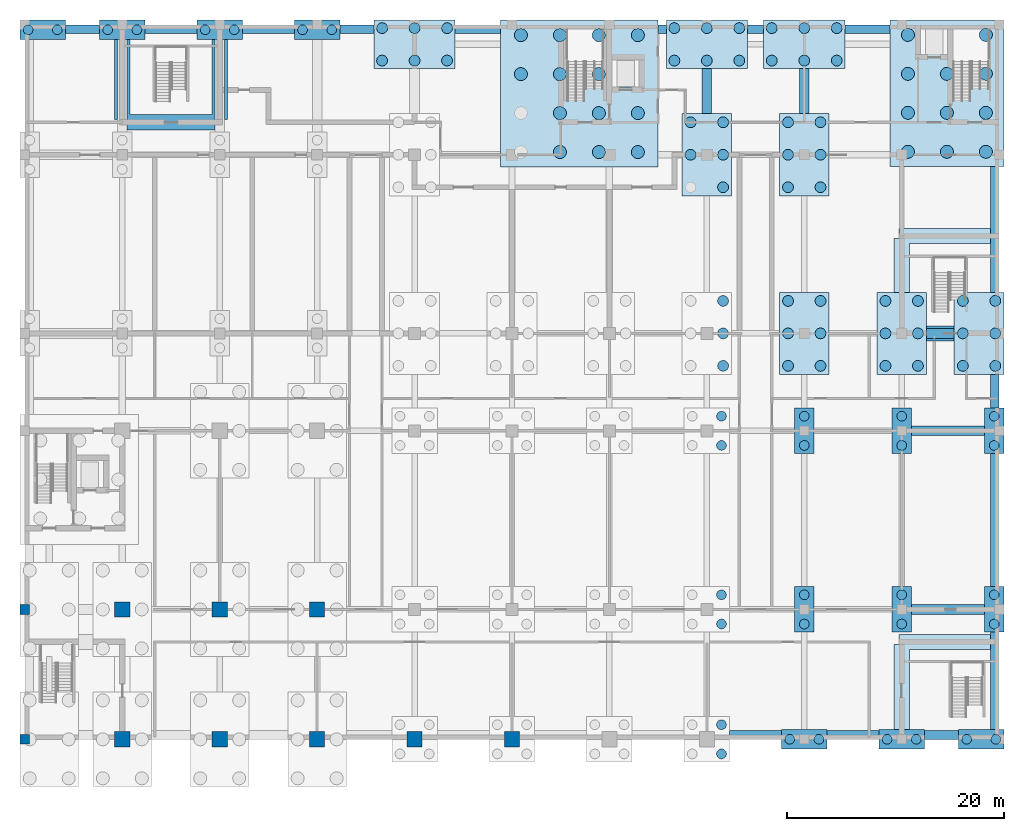
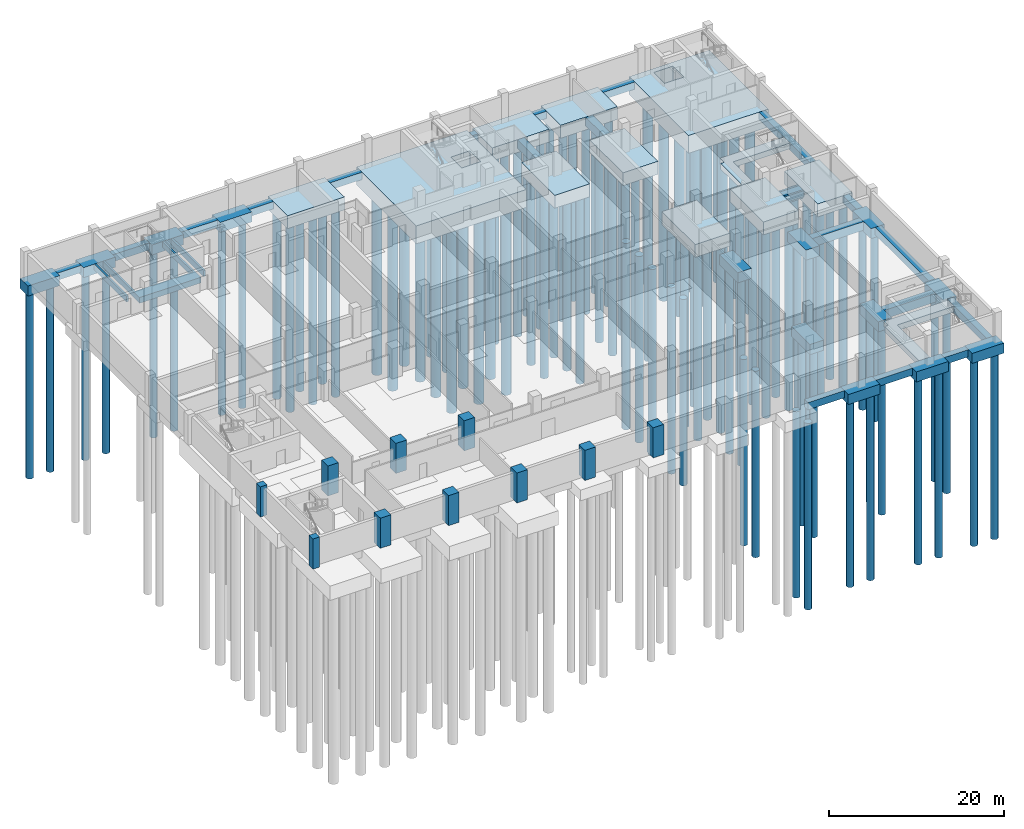
# One storey, part 2 of 15: 106 piles, 50 footings, 10 columns.
"""IFC4 building model written with IfcOpenShell, lengths in metres."""

import ifcopenshell
import ifcopenshell.guid

model = None  # the IFC model being written
_history = None  # IfcOwnerHistory: only IFC2X3 demands one
_inside = {}  # id of a spatial element -> (the spatial element, [elements in it])
_under = {}  # id of a project, library or spatial element -> (it, [spatial elements below it])
_declared = {}  # id of a project -> (the project, [libraries it declares])
_typed = {}  # id of a type object -> (the type object, [elements of that type])
_made_of = {}  # id of a material, layer set ... -> (it, [elements and type objects made of it])


def new_model(schema):
    """Start an empty IFC model of exactly this schema.

    Asked for "IFC4X3", IfcOpenShell would pick the latest addendum, in which some entities
    have other attributes; the version numbers below select the first issue.
    IFC2X3 requires an IfcOwnerHistory on every rooted entity: one is made here for all.
    """
    global model, _history
    if schema == "IFC4X3":
        model = ifcopenshell.file(schema_version=(4, 3, 0, 0))
    else:
        model = ifcopenshell.file(schema=schema)
    _inside.clear()
    _under.clear()
    _declared.clear()
    _typed.clear()
    _made_of.clear()
    _history = None
    if model.schema == "IFC2X3":
        org = make("IfcOrganization", Name="unknown")
        user = make(
            "IfcPersonAndOrganization",
            ThePerson=make("IfcPerson", FamilyName="unknown"),
            TheOrganization=org,
        )
        app = make(
            "IfcApplication",
            ApplicationDeveloper=org,
            Version="unknown",
            ApplicationFullName="unknown",
            ApplicationIdentifier="unknown",
        )
        _history = make(
            "IfcOwnerHistory",
            OwningUser=user,
            OwningApplication=app,
            ChangeAction="ADDED",
            CreationDate=0,
        )
    return model


def make(cls, **values):
    """One entity of the class cls with the attributes given. An attribute that is None is left unset."""
    return model.create_entity(
        cls, **{name: value for name, value in values.items() if value is not None}
    )


def rooted(cls, **values):
    """An entity with a GlobalId (a new one), such as an element, a storey or a relation."""
    return make(cls, GlobalId=ifcopenshell.guid.new(), OwnerHistory=_history, **values)


def si_unit(unit_type, name, prefix=None):
    """IfcSIUnit, for example si_unit("LENGTHUNIT", "METRE", prefix="MILLI")."""
    return make("IfcSIUnit", UnitType=unit_type, Prefix=prefix, Name=name)


def assignment(units):
    """IfcUnitAssignment: the units of a project."""
    return None if units is None else make("IfcUnitAssignment", Units=units)


def point(xyz):
    """IfcCartesianPoint."""
    return None if xyz is None else make("IfcCartesianPoint", Coordinates=xyz)


def direction(xyz):
    """IfcDirection."""
    return None if xyz is None else make("IfcDirection", DirectionRatios=xyz)


def frame(location, z_axis=None, x_axis=None):
    """IfcAxis2Placement3D, a coordinate frame: its origin and axes. An axis left out is left unset."""
    return make(
        "IfcAxis2Placement3D",
        Location=point(location),
        Axis=direction(z_axis),
        RefDirection=direction(x_axis),
    )


def frame_2d(location, x_axis=None):
    """IfcAxis2Placement2D, a coordinate frame in the plane: its origin and x axis."""
    return make(
        "IfcAxis2Placement2D", Location=point(location), RefDirection=direction(x_axis)
    )


def origin():
    """The frame at (0, 0, 0) with its axes left unset."""
    return frame((0.0, 0.0, 0.0))


def origin_2d():
    """The frame at (0, 0) in the plane with its x axis left unset."""
    return frame_2d((0.0, 0.0))


def place(relative_to, where):
    """IfcLocalPlacement: puts the frame where relative to a parent placement (None: the world)."""
    return make(
        "IfcLocalPlacement", PlacementRelTo=relative_to, RelativePlacement=where
    )


def context(
    kind, dimensions, precision=None, world=None, true_north=None, identifier=None
):
    """IfcGeometricRepresentationContext, for example the 3D "Model" context."""
    return make(
        "IfcGeometricRepresentationContext",
        ContextIdentifier=identifier,
        ContextType=kind,
        CoordinateSpaceDimension=dimensions,
        Precision=precision,
        WorldCoordinateSystem=world,
        TrueNorth=true_north,
    )


def subcontext(parent, identifier, kind, view, scale=None):
    """IfcGeometricRepresentationSubContext, for example "Body" below "Model"."""
    return make(
        "IfcGeometricRepresentationSubContext",
        ContextIdentifier=identifier,
        ContextType=kind,
        ParentContext=parent,
        TargetScale=scale,
        TargetView=view,
    )


def project(units=None, contexts=None):
    """IfcProject with its units and contexts."""
    return rooted(
        "IfcProject",
        Name="project",
        RepresentationContexts=contexts,
        UnitsInContext=assignment(units),
    )


def spatial(cls, under=None, at=None, **own):
    """A site, building, storey or space (cls), placed at a placement, below another one or the project."""
    s = rooted(cls, ObjectPlacement=at, **own)
    if under is not None:
        _under.setdefault(under.id(), (under, []))[1].append(s)
    return s


def polyline(points):
    """IfcPolyline through the points."""
    return make("IfcPolyline", Points=[point(p) for p in points])


def profile(cls, at=None, kind="AREA", **sizes):
    """A parametric profile (cls). Its sizes go by their IFC names, for example OverallWidth=200.0."""
    return make(cls, ProfileType=kind, Position=at, **sizes)


def rectangle(**sizes):
    """IfcRectangleProfileDef."""
    return profile("IfcRectangleProfileDef", **sizes)


def circle(**sizes):
    """IfcCircleProfileDef."""
    return profile("IfcCircleProfileDef", **sizes)


def outline(outer, holes=None, kind="AREA"):
    """IfcArbitraryClosedProfileDef: a profile drawn as a closed curve; with holes, ...WithVoids."""
    if holes is None:
        return make("IfcArbitraryClosedProfileDef", ProfileType=kind, OuterCurve=outer)
    return make(
        "IfcArbitraryProfileDefWithVoids",
        ProfileType=kind,
        OuterCurve=outer,
        InnerCurves=holes,
    )


def extrude(swept, where, along, depth):
    """IfcExtrudedAreaSolid: the profile swept, set in the frame where, extruded along a direction by depth."""
    return make(
        "IfcExtrudedAreaSolid",
        SweptArea=swept,
        Position=where,
        ExtrudedDirection=direction(along),
        Depth=depth,
    )


def shape(context_of_items, identifier, shape_type, items):
    """IfcShapeRepresentation: the items that make up one representation, for example the "Body"."""
    return make(
        "IfcShapeRepresentation",
        ContextOfItems=context_of_items,
        RepresentationIdentifier=identifier,
        RepresentationType=shape_type,
        Items=items,
    )


def material(Name=None, Category=None):
    """IfcMaterial."""
    return make("IfcMaterial", Name=Name, Category=Category)


def material_profile(
    of_material, cross_section, Name=None, Category=None, Priority=None
):
    """IfcMaterialProfile: a cross section and its material."""
    return make(
        "IfcMaterialProfile",
        Name=Name,
        Material=of_material,
        Profile=cross_section,
        Priority=Priority,
        Category=Category,
    )


def profile_set(profiles, Name=None, composite=None):
    """IfcMaterialProfileSet."""
    return make(
        "IfcMaterialProfileSet",
        Name=Name,
        MaterialProfiles=profiles,
        CompositeProfile=composite,
    )


def made_of(thing, what):
    """Note that an element or type object is made of a material, layer set ...; save() writes the relation."""
    if what is not None:
        _made_of.setdefault(what.id(), (what, []))[1].append(thing)
    return thing


def type_object(cls, material=None, **own):
    """A type object (cls), such as IfcWallType, which elements share."""
    return made_of(rooted(cls, **own), material)


def element(
    cls,
    number,
    at=None,
    inside=None,
    cuts=None,
    type_object=None,
    material=None,
    context=None,
    identifier="Body",
    shape_type=None,
    held_by="IfcProductDefinitionShape",
    body=None,
    shapes=None,
    **own,
):
    """One element of the class cls, such as IfcWall. Its Tag is "e" and its number.

    at: its placement. inside: the storey or other place that contains it. cuts: it is an
    opening in that element (IfcRelVoidsElement). A single representation is given by context,
    identifier, shape_type and body (its items); several are given by shapes. held_by: the class
    of the entity that holds the representations. save() writes the other relations.
    """
    e = rooted(cls, Tag="e%d" % number, ObjectPlacement=at, **own)
    if body is not None:
        shapes = [shape(context, identifier, shape_type, body)]
    if shapes is not None:
        e.Representation = make(held_by, Representations=shapes)
    if inside is not None:
        _inside.setdefault(inside.id(), (inside, []))[1].append(e)
    if cuts is not None:
        rooted(
            "IfcRelVoidsElement", RelatingBuildingElement=cuts, RelatedOpeningElement=e
        )
    if type_object is not None:
        _typed.setdefault(type_object.id(), (type_object, []))[1].append(e)
    return made_of(e, material)


def aggregate(whole, parts):
    """IfcRelAggregates: a whole, such as a stair, and the parts it consists of."""
    return rooted("IfcRelAggregates", RelatingObject=whole, RelatedObjects=parts)


def save(model, path):
    """Write the relations noted so far, then the file.

    IfcRelAggregates (storeys below a building ...), IfcRelContainedInSpatialStructure (elements
    in a storey), IfcRelDefinesByType, IfcRelAssociatesMaterial and IfcRelDeclares: one each for
    every whole, place, type object, material and project.
    """
    for whole, parts in _under.values():
        aggregate(whole, parts)
    for where, things in _inside.values():
        rooted(
            "IfcRelContainedInSpatialStructure",
            RelatedElements=things,
            RelatingStructure=where,
        )
    for kind, things in _typed.values():
        rooted("IfcRelDefinesByType", RelatedObjects=things, RelatingType=kind)
    for what, things in _made_of.values():
        rooted("IfcRelAssociatesMaterial", RelatedObjects=things, RelatingMaterial=what)
    for by, libraries in _declared.values():
        rooted("IfcRelDeclares", RelatingContext=by, RelatedDefinitions=libraries)
    model.write(path)


model = new_model("IFC4")

# Units and contexts
model_context = context("Model", 3, precision=1e-05, world=origin(), true_north=direction((0.0, 1.0)))
body_context = subcontext(model_context, "Body", "Model", "MODEL_VIEW")
ifc_project = project(units=[si_unit("LENGTHUNIT", "METRE"), si_unit("AREAUNIT", "SQUARE_METRE"), si_unit("VOLUMEUNIT", "CUBIC_METRE"), si_unit("PLANEANGLEUNIT", "RADIAN"), si_unit("MASSUNIT", "GRAM", prefix="KILO")], contexts=[model_context])

# Site, building, storey
site_placement = place(None, origin())
site = spatial("IfcSite", under=ifc_project, at=site_placement, CompositionType="ELEMENT")
building_placement = place(site_placement, origin())
building = spatial("IfcBuilding", under=site, at=building_placement, Name="Aurelan Courthouse", CompositionType="ELEMENT")
storey_placement = place(building_placement, frame((0.0, 0.0, -8.39990234375)))
storey = spatial("IfcBuildingStorey", under=building, at=storey_placement, Name="B2", CompositionType="ELEMENT", Elevation=-8.39990234375)

# Piles
ifc_material_1 = material(Name="Concrete C35", Category="concrete")
ifc_material_profile_1 = material_profile(ifc_material_1, circle(Radius=0.5, at=origin_2d()), Name="D1000")
ifc_profile_set_1 = profile_set([ifc_material_profile_1], Name="Concrete C35")
pile_type_1 = type_object("IfcPileType", Name="Bored pile D1000", PredefinedType="BORED", material=ifc_profile_set_1)
for number, where, z_axis, x_axis, name in (
    (1, (64.5, 34.5, -1.800048828125), (0.0, 0.0, -1.0), (1.0, 0.0, 0.0), "Bored pile PC-D8-02"),
    (2, (64.5, 37.5, -1.800048828125), (0.0, 0.0, -1.0), (1.0, 0.0, 0.0), "Bored pile PC-D8-04"),
    (3, (64.5, 40.5, -1.800048828125), (0.0, 0.0, -1.0), (1.0, 0.0, 0.0), "Bored pile PC-D8-06"),
    (4, (70.5, 34.5, -1.800048828125), (0.0, 0.0, -1.0), (1.0, 0.0, 0.0), "Bored pile PC-D9-01"),
    (5, (73.5, 34.5, -1.800048828125), (0.0, 0.0, -1.0), (1.0, 0.0, 0.0), "Bored pile PC-D9-02"),
    (6, (70.5, 37.5, -1.800048828125), (0.0, 0.0, -1.0), (1.0, 0.0, 0.0), "Bored pile PC-D9-03"),
    (7, (73.5, 37.5, -1.800048828125), (0.0, 0.0, -1.0), (1.0, 0.0, 0.0), "Bored pile PC-D9-04"),
    (8, (70.5, 40.5, -1.800048828125), (0.0, 0.0, -1.0), (1.0, 0.0, 0.0), "Bored pile PC-D9-05"),
    (9, (73.5, 40.5, -1.800048828125), (0.0, 0.0, -1.0), (1.0, 0.0, 0.0), "Bored pile PC-D9-06"),
    (10, (79.5, 34.5, -1.800048828125), (0.0, 0.0, -1.0), (1.0, 0.0, 0.0), "Bored pile PC-D10-01"),
    (11, (82.5, 34.5, -1.800048828125), (0.0, 0.0, -1.0), (1.0, 0.0, 0.0), "Bored pile PC-D10-02"),
    (12, (79.5, 37.5, -1.800048828125), (0.0, 0.0, -1.0), (1.0, 0.0, 0.0), "Bored pile PC-D10-03"),
    (13, (82.5, 37.5, -1.800048828125), (0.0, 0.0, -1.0), (1.0, 0.0, 0.0), "Bored pile PC-D10-04"),
    (14, (79.5, 40.5, -1.800048828125), (0.0, 0.0, -1.0), (1.0, 0.0, 0.0), "Bored pile PC-D10-05"),
    (15, (82.5, 40.5, -1.800048828125), (0.0, 0.0, -1.0), (1.0, 0.0, 0.0), "Bored pile PC-D10-06"),
    (16, (86.64990234375, 34.5, -1.800048828125), (0.0, 0.0, -1.0), (1.0, 0.0, 0.0), "Bored pile PC-D11-01"),
    (17, (89.64990234375, 34.5, -1.800048828125), (0.0, 0.0, -1.0), (1.0, 0.0, 0.0), "Bored pile PC-D11-02"),
    (18, (86.64990234375, 37.5, -1.800048828125), (0.0, 0.0, -1.0), (1.0, 0.0, 0.0), "Bored pile PC-D11-03"),
    (19, (89.64990234375, 37.5, -1.800048828125), (0.0, 0.0, -1.0), (1.0, 0.0, 0.0), "Bored pile PC-D11-04"),
    (20, (86.64990234375, 40.5, -1.800048828125), (0.0, 0.0, -1.0), (1.0, 0.0, 0.0), "Bored pile PC-D11-05"),
    (21, (89.64990234375, 40.5, -1.800048828125), (0.0, 0.0, -1.0), (1.0, 0.0, 0.0), "Bored pile PC-D11-06"),
    (22, (64.5, 51.0, -1.800048828125), (0.0, 0.0, -1.0), (1.0, 0.0, 0.0), "Bored pile PC-E8-02"),
    (23, (61.5, 54.0, -1.800048828125), (0.0, 0.0, -1.0), (1.0, 0.0, 0.0), "Bored pile PC-E8-03"),
    (24, (64.5, 54.0, -1.800048828125), (0.0, 0.0, -1.0), (1.0, 0.0, 0.0), "Bored pile PC-E8-04"),
    (25, (61.5, 57.0, -1.800048828125), (0.0, 0.0, -1.0), (1.0, 0.0, 0.0), "Bored pile PC-E8-05"),
    (26, (64.5, 57.0, -1.800048828125), (0.0, 0.0, -1.0), (1.0, 0.0, 0.0), "Bored pile PC-E8-06"),
    (27, (70.5, 51.0, -1.800048828125), (0.0, 0.0, -1.0), (1.0, 0.0, 0.0), "Bored pile PC-E9-01"),
    (28, (73.5, 51.0, -1.800048828125), (0.0, 0.0, -1.0), (1.0, 0.0, 0.0), "Bored pile PC-E9-02"),
    (29, (70.5, 54.0, -1.800048828125), (0.0, 0.0, -1.0), (1.0, 0.0, 0.0), "Bored pile PC-E9-03"),
    (30, (73.5, 54.0, -1.800048828125), (0.0, 0.0, -1.0), (1.0, 0.0, 0.0), "Bored pile PC-E9-04"),
    (31, (70.5, 57.0, -1.800048828125), (0.0, 0.0, -1.0), (1.0, 0.0, 0.0), "Bored pile PC-E9-05"),
    (32, (73.5, 57.0, -1.800048828125), (0.0, 0.0, -1.0), (1.0, 0.0, 0.0), "Bored pile PC-E9-06"),
    (33, (33.0, 62.699951171875, -1.800048828125), (0.0, 0.0, -1.0), (1.0, 0.0, 0.0), "Bored pile PC-F5-01"),
    (34, (36.0, 62.699951171875, -1.800048828125), (0.0, 0.0, -1.0), (1.0, 0.0, 0.0), "Bored pile PC-F5-02"),
    (35, (39.0, 62.699951171875, -1.800048828125), (0.0, 0.0, -1.0), (1.0, 0.0, 0.0), "Bored pile PC-F5-03"),
    (36, (33.0, 65.699951171875, -1.800048828125), (0.0, 0.0, -1.0), (1.0, 0.0, 0.0), "Bored pile PC-F5-04"),
    (37, (36.0, 65.699951171875, -1.800048828125), (0.0, 0.0, -1.0), (1.0, 0.0, 0.0), "Bored pile PC-F5-05"),
    (38, (39.0, 65.699951171875, -1.800048828125), (0.0, 0.0, -1.0), (1.0, 0.0, 0.0), "Bored pile PC-F5-06"),
    (39, (60.0, 62.699951171875, -1.800048828125), (0.0, 0.0, -1.0), (1.0, 0.0, 0.0), "Bored pile PC-F8-01"),
    (40, (63.0, 62.699951171875, -1.800048828125), (0.0, 0.0, -1.0), (1.0, 0.0, 0.0), "Bored pile PC-F8-02"),
    (41, (66.0, 62.699951171875, -1.800048828125), (0.0, 0.0, -1.0), (1.0, 0.0, 0.0), "Bored pile PC-F8-03"),
    (42, (60.0, 65.699951171875, -1.800048828125), (0.0, 0.0, -1.0), (1.0, 0.0, 0.0), "Bored pile PC-F8-04"),
    (43, (63.0, 65.699951171875, -1.800048828125), (0.0, 0.0, -1.0), (1.0, 0.0, 0.0), "Bored pile PC-F8-05"),
    (44, (66.0, 65.699951171875, -1.800048828125), (0.0, 0.0, -1.0), (1.0, 0.0, 0.0), "Bored pile PC-F8-06"),
    (45, (69.0, 62.699951171875, -1.800048828125), (0.0, 0.0, -1.0), (1.0, 0.0, 0.0), "Bored pile PC-F9-01"),
    (46, (72.0, 62.699951171875, -1.800048828125), (0.0, 0.0, -1.0), (1.0, 0.0, 0.0), "Bored pile PC-F9-02"),
    (47, (75.0, 62.699951171875, -1.800048828125), (0.0, 0.0, -1.0), (1.0, 0.0, 0.0), "Bored pile PC-F9-03"),
    (48, (69.0, 65.699951171875, -1.800048828125), (0.0, 0.0, -1.0), (1.0, 0.0, 0.0), "Bored pile PC-F9-04"),
    (49, (72.0, 65.699951171875, -1.800048828125), (0.0, 0.0, -1.0), (1.0, 0.0, 0.0), "Bored pile PC-F9-05"),
    (50, (75.0, 65.699951171875, -1.800048828125), (0.0, 0.0, -1.0), (1.0, 0.0, 0.0), "Bored pile PC-F9-06"),
):
    element("IfcPile", number, at=place(storey_placement, frame(where, z_axis=z_axis, x_axis=x_axis)), inside=storey, type_object=pile_type_1, Name=name, PredefinedType="BORED", context=body_context, shape_type="SweptSolid", body=[
        extrude(circle(Radius=0.5, at=origin_2d()), origin(), (0.0, 0.0, 1.0), 26.0),
    ])
ifc_material_profile_2 = material_profile(ifc_material_1, circle(Radius=0.60009765625, at=origin_2d()), Name="D1200")
ifc_profile_set_2 = profile_set([ifc_material_profile_2], Name="Concrete C35")
pile_type_2 = type_object("IfcPileType", Name="Bored pile D1200", PredefinedType="BORED", material=ifc_profile_set_2)
for number, where, z_axis, x_axis, name in (
    (51, (49.425048828125, 54.25, -2.5), (0.0, 0.0, -1.0), (1.0, 0.0, 0.0), "Bored pile PC-R2-02"),
    (52, (53.02490234375, 54.25, -2.5), (0.0, 0.0, -1.0), (1.0, 0.0, 0.0), "Bored pile PC-R2-03"),
    (53, (56.625, 54.25, -2.5), (0.0, 0.0, -1.0), (1.0, 0.0, 0.0), "Bored pile PC-R2-04"),
    (54, (49.425048828125, 57.85009765625, -2.5), (0.0, 0.0, -1.0), (1.0, 0.0, 0.0), "Bored pile PC-R2-06"),
    (55, (53.02490234375, 57.85009765625, -2.5), (0.0, 0.0, -1.0), (1.0, 0.0, 0.0), "Bored pile PC-R2-07"),
    (56, (56.625, 57.85009765625, -2.5), (0.0, 0.0, -1.0), (1.0, 0.0, 0.0), "Bored pile PC-R2-08"),
    (57, (45.824951171875, 61.449951171875, -2.5), (0.0, 0.0, -1.0), (1.0, 0.0, 0.0), "Bored pile PC-R2-09"),
    (58, (49.425048828125, 61.449951171875, -2.5), (0.0, 0.0, -1.0), (1.0, 0.0, 0.0), "Bored pile PC-R2-10"),
    (59, (53.02490234375, 61.449951171875, -2.5), (0.0, 0.0, -1.0), (1.0, 0.0, 0.0), "Bored pile PC-R2-11"),
    (60, (45.824951171875, 65.050048828125, -2.5), (0.0, 0.0, -1.0), (1.0, 0.0, 0.0), "Bored pile PC-R2-12"),
    (61, (49.425048828125, 65.050048828125, -2.5), (0.0, 0.0, -1.0), (1.0, 0.0, 0.0), "Bored pile PC-R2-13"),
    (62, (53.02490234375, 65.050048828125, -2.5), (0.0, 0.0, -1.0), (1.0, 0.0, 0.0), "Bored pile PC-R2-14"),
    (63, (56.625, 65.050048828125, -2.5), (0.0, 0.0, -1.0), (1.0, 0.0, 0.0), "Bored pile PC-R2-15"),
    (64, (81.574951171875, 54.27490234375, -2.5), (0.0, 0.0, -1.0), (1.0, 0.0, 0.0), "Bored pile PC-R3-01"),
    (65, (85.175048828125, 54.27490234375, -2.5), (0.0, 0.0, -1.0), (1.0, 0.0, 0.0), "Bored pile PC-R3-02"),
    (66, (88.77490234375, 54.27490234375, -2.5), (0.0, 0.0, -1.0), (1.0, 0.0, 0.0), "Bored pile PC-R3-03"),
    (67, (81.574951171875, 57.875, -2.5), (0.0, 0.0, -1.0), (1.0, 0.0, 0.0), "Bored pile PC-R3-04"),
    (68, (85.175048828125, 57.875, -2.5), (0.0, 0.0, -1.0), (1.0, 0.0, 0.0), "Bored pile PC-R3-05"),
    (69, (88.77490234375, 57.875, -2.5), (0.0, 0.0, -1.0), (1.0, 0.0, 0.0), "Bored pile PC-R3-06"),
    (70, (81.574951171875, 61.47509765625, -2.5), (0.0, 0.0, -1.0), (1.0, 0.0, 0.0), "Bored pile PC-R3-07"),
    (71, (85.175048828125, 61.47509765625, -2.5), (0.0, 0.0, -1.0), (1.0, 0.0, 0.0), "Bored pile PC-R3-08"),
    (72, (88.77490234375, 61.47509765625, -2.5), (0.0, 0.0, -1.0), (1.0, 0.0, 0.0), "Bored pile PC-R3-09"),
    (73, (81.574951171875, 65.074951171875, -2.5), (0.0, 0.0, -1.0), (1.0, 0.0, 0.0), "Bored pile PC-R3-10"),
    (74, (88.77490234375, 65.074951171875, -2.5), (0.0, 0.0, -1.0), (1.0, 0.0, 0.0), "Bored pile PC-R3-11"),
):
    element("IfcPile", number, at=place(storey_placement, frame(where, z_axis=z_axis, x_axis=x_axis)), inside=storey, type_object=pile_type_2, Name=name, PredefinedType="BORED", context=body_context, shape_type="SweptSolid", body=[
        extrude(circle(Radius=0.60009765625, at=origin_2d()), origin(), (0.0, 0.0, 1.0), 26.0),
    ])
ifc_material_profile_3 = material_profile(ifc_material_1, circle(Radius=0.449951171875, at=origin_2d()), Name="D900")
ifc_profile_set_3 = profile_set([ifc_material_profile_3], Name="Concrete C35")
pile_type_3 = type_object("IfcPileType", Name="Bored pile D900", PredefinedType="BORED", material=ifc_profile_set_3)
for number, where, z_axis, x_axis, name in (
    (75, (64.35009765625, -1.35009765625, -1.5), (0.0, 0.0, -1.0), (1.0, 0.0, 0.0), "Bored pile PC-A8-02"),
    (76, (64.35009765625, 1.35009765625, -1.5), (0.0, 0.0, -1.0), (1.0, 0.0, 0.0), "Bored pile PC-A8-04"),
    (77, (70.64990234375, 0.0, -1.400146484375), (0.0, 0.0, -1.0), (1.0, 0.0, 0.0), "Bored pile PC-A9-01"),
    (78, (73.35009765625, 0.0, -1.400146484375), (0.0, 0.0, -1.0), (1.0, 0.0, 0.0), "Bored pile PC-A9-02"),
    (79, (79.64990234375, 0.0, -1.400146484375), (0.0, 0.0, -1.0), (1.0, 0.0, 0.0), "Bored pile PC-A10-01"),
    (80, (82.35009765625, 0.0, -1.400146484375), (0.0, 0.0, -1.0), (1.0, 0.0, 0.0), "Bored pile PC-A10-02"),
    (81, (87.0, 0.0, -1.400146484375), (0.0, 0.0, -1.0), (1.0, 0.0, 0.0), "Bored pile PC-A11-01"),
    (82, (89.699951171875, 0.0, -1.400146484375), (0.0, 0.0, -1.0), (1.0, 0.0, 0.0), "Bored pile PC-A11-02"),
    (83, (64.35009765625, 10.64990234375, -1.5), (0.0, 0.0, -1.0), (1.0, 0.0, 0.0), "Bored pile PC-B8-02"),
    (84, (64.35009765625, 13.35009765625, -1.5), (0.0, 0.0, -1.0), (1.0, 0.0, 0.0), "Bored pile PC-B8-04"),
    (85, (72.0, 10.64990234375, -1.400146484375), (0.0, 0.0, -1.0), (1.0, 0.0, 0.0), "Bored pile PC-B9-01"),
    (86, (72.0, 13.35009765625, -1.400146484375), (0.0, 0.0, -1.0), (1.0, 0.0, 0.0), "Bored pile PC-B9-02"),
    (87, (81.0, 10.64990234375, -1.400146484375), (0.0, 0.0, -1.0), (1.0, 0.0, 0.0), "Bored pile PC-B10-01"),
    (88, (81.0, 13.35009765625, -1.400146484375), (0.0, 0.0, -1.0), (1.0, 0.0, 0.0), "Bored pile PC-B10-02"),
    (89, (89.550048828125, 10.64990234375, -1.400146484375), (0.0, 0.0, -1.0), (1.0, 0.0, 0.0), "Bored pile PC-B11-01"),
    (90, (89.550048828125, 13.35009765625, -1.400146484375), (0.0, 0.0, -1.0), (1.0, 0.0, 0.0), "Bored pile PC-B11-02"),
    (91, (64.35009765625, 27.14990234375, -1.5), (0.0, 0.0, -1.0), (1.0, 0.0, 0.0), "Bored pile PC-C8-02"),
    (92, (64.35009765625, 29.85009765625, -1.5), (0.0, 0.0, -1.0), (1.0, 0.0, 0.0), "Bored pile PC-C8-04"),
    (93, (72.0, 27.14990234375, -1.400146484375), (0.0, 0.0, -1.0), (1.0, 0.0, 0.0), "Bored pile PC-C9-01"),
    (94, (72.0, 29.85009765625, -1.400146484375), (0.0, 0.0, -1.0), (1.0, 0.0, 0.0), "Bored pile PC-C9-02"),
    (95, (81.0, 27.14990234375, -1.400146484375), (0.0, 0.0, -1.0), (1.0, 0.0, 0.0), "Bored pile PC-C10-01"),
    (96, (81.0, 29.85009765625, -1.400146484375), (0.0, 0.0, -1.0), (1.0, 0.0, 0.0), "Bored pile PC-C10-02"),
    (97, (89.550048828125, 27.14990234375, -1.400146484375), (0.0, 0.0, -1.0), (1.0, 0.0, 0.0), "Bored pile PC-C11-01"),
    (98, (89.550048828125, 29.85009765625, -1.400146484375), (0.0, 0.0, -1.0), (1.0, 0.0, 0.0), "Bored pile PC-C11-02"),
    (99, (0.300048828125, 65.550048828125, -1.400146484375), (0.0, 0.0, -1.0), (1.0, 0.0, 0.0), "Bored pile PC-F1-01"),
    (100, (3.0, 65.550048828125, -1.400146484375), (0.0, 0.0, -1.0), (1.0, 0.0, 0.0), "Bored pile PC-F1-02"),
    (101, (7.64990234375, 65.550048828125, -1.400146484375), (0.0, 0.0, -1.0), (1.0, 0.0, 0.0), "Bored pile PC-F2-01"),
    (102, (10.35009765625, 65.550048828125, -1.400146484375), (0.0, 0.0, -1.0), (1.0, 0.0, 0.0), "Bored pile PC-F2-02"),
    (103, (16.64990234375, 65.550048828125, -1.400146484375), (0.0, 0.0, -1.0), (1.0, 0.0, 0.0), "Bored pile PC-F3-01"),
    (104, (19.35009765625, 65.550048828125, -1.400146484375), (0.0, 0.0, -1.0), (1.0, 0.0, 0.0), "Bored pile PC-F3-02"),
    (105, (25.64990234375, 65.550048828125, -1.400146484375), (0.0, 0.0, -1.0), (1.0, 0.0, 0.0), "Bored pile PC-F4-01"),
    (106, (28.35009765625, 65.550048828125, -1.400146484375), (0.0, 0.0, -1.0), (1.0, 0.0, 0.0), "Bored pile PC-F4-02"),
):
    element("IfcPile", number, at=place(storey_placement, frame(where, z_axis=z_axis, x_axis=x_axis)), inside=storey, type_object=pile_type_3, Name=name, PredefinedType="BORED", context=body_context, shape_type="SweptSolid", body=[
        extrude(circle(Radius=0.449951171875, at=origin_2d()), origin(), (0.0, 0.0, 1.0), 26.0),
    ])

# Footings
footing_type_1 = type_object("IfcFootingType", Name="Pile cap six piles 4600 x 7600 x 1800", PredefinedType="PILE_CAP", material=ifc_material_1)
for number, where, z_axis, x_axis, name in (
    (107, (72.0, 37.5, -1.80029296875), (0.0, 0.0, 1.0), (1.0, 0.0, 0.0), "Pile cap PC-D9"),
    (108, (81.0, 37.5, -1.80029296875), (0.0, 0.0, 1.0), (1.0, 0.0, 0.0), "Pile cap PC-D10"),
    (109, (88.14990234375, 37.5, -1.80029296875), (0.0, 0.0, 1.0), (1.0, 0.0, 0.0), "Pile cap PC-D11"),
    (110, (63.0, 54.0, -1.80029296875), (0.0, 0.0, 1.0), (1.0, 0.0, 0.0), "Pile cap PC-E8"),
    (111, (72.0, 54.0, -1.80029296875), (0.0, 0.0, 1.0), (1.0, 0.0, 0.0), "Pile cap PC-E9"),
):
    element("IfcFooting", number, at=place(storey_placement, frame(where, z_axis=z_axis, x_axis=x_axis)), inside=storey, type_object=footing_type_1, Name=name, PredefinedType="PILE_CAP", context=body_context, shape_type="SweptSolid", body=[
        extrude(rectangle(XDim=4.60009765625, YDim=7.60009765625, at=origin_2d()), origin(), (0.0, 0.0, 1.0), 1.800048828125),
    ])
footing_type_2 = type_object("IfcFootingType", Name="Pile cap six piles 7500 x 4500 x 1800", PredefinedType="PILE_CAP", material=ifc_material_1)
for number, where, z_axis, x_axis, name in (
    (112, (36.0, 64.199951171875, -1.80029296875), (0.0, 0.0, 1.0), (1.0, 0.0, 0.0), "Pile cap PC-F5"),
    (113, (63.0, 64.199951171875, -1.80029296875), (0.0, 0.0, 1.0), (1.0, 0.0, 0.0), "Pile cap PC-F8"),
    (114, (72.0, 64.199951171875, -1.80029296875), (0.0, 0.0, 1.0), (1.0, 0.0, 0.0), "Pile cap PC-F9"),
):
    element("IfcFooting", number, at=place(storey_placement, frame(where, z_axis=z_axis, x_axis=x_axis)), inside=storey, type_object=footing_type_2, Name=name, PredefinedType="PILE_CAP", context=body_context, shape_type="SweptSolid", body=[
        extrude(rectangle(XDim=7.5, YDim=4.5, at=origin_2d()), origin(), (0.0, 0.0, 1.0), 1.800048828125),
    ])
footing_type_3 = type_object("IfcFootingType", Name="Pile cap two piles 4200 x 1800 x 1400", PredefinedType="PILE_CAP", material=ifc_material_1)
for number, where, z_axis, x_axis, name in (
    (115, (72.0, 0.0, -1.400146484375), (0.0, 0.0, 1.0), (1.0, 0.0, 0.0), "Pile cap PC-A9"),
    (116, (81.0, 0.0, -1.400146484375), (0.0, 0.0, 1.0), (1.0, 0.0, 0.0), "Pile cap PC-A10"),
    (117, (88.35009765625, 0.0, -1.400146484375), (0.0, 0.0, 1.0), (1.0, 0.0, 0.0), "Pile cap PC-A11"),
    (118, (72.0, 12.0, -1.400146484375), (0.0, 0.0, 1.0), (0.0, 1.0, 0.0), "Pile cap PC-B9"),
    (119, (81.0, 12.0, -1.400146484375), (0.0, 0.0, 1.0), (0.0, 1.0, 0.0), "Pile cap PC-B10"),
    (120, (89.550048828125, 12.0, -1.400146484375), (0.0, 0.0, 1.0), (0.0, 1.0, 0.0), "Pile cap PC-B11"),
    (121, (72.0, 28.5, -1.400146484375), (0.0, 0.0, 1.0), (0.0, 1.0, 0.0), "Pile cap PC-C9"),
    (122, (81.0, 28.5, -1.400146484375), (0.0, 0.0, 1.0), (0.0, 1.0, 0.0), "Pile cap PC-C10"),
    (123, (89.550048828125, 28.5, -1.400146484375), (0.0, 0.0, 1.0), (0.0, 1.0, 0.0), "Pile cap PC-C11"),
    (124, (1.64990234375, 65.550048828125, -1.400146484375), (0.0, 0.0, 1.0), (1.0, 0.0, 0.0), "Pile cap PC-F1"),
    (125, (9.0, 65.550048828125, -1.400146484375), (0.0, 0.0, 1.0), (1.0, 0.0, 0.0), "Pile cap PC-F2"),
    (126, (18.0, 65.550048828125, -1.400146484375), (0.0, 0.0, 1.0), (1.0, 0.0, 0.0), "Pile cap PC-F3"),
    (127, (27.0, 65.550048828125, -1.400146484375), (0.0, 0.0, 1.0), (1.0, 0.0, 0.0), "Pile cap PC-F4"),
):
    element("IfcFooting", number, at=place(storey_placement, frame(where, z_axis=z_axis, x_axis=x_axis)), inside=storey, type_object=footing_type_3, Name=name, PredefinedType="PILE_CAP", context=body_context, shape_type="SweptSolid", body=[
        extrude(rectangle(XDim=4.199951171875, YDim=1.800048828125, at=origin_2d()), origin(), (0.0, 0.0, 1.0), 1.39990234375),
    ])
footing_type_4 = type_object("IfcFootingType", Name="Raft 10550 x 13550 x 2500", PredefinedType="PILE_CAP", material=ifc_material_1)
footing_1_placement = place(storey_placement, frame((0.0, 0.0, -2.5)))
element("IfcFooting", 128, at=footing_1_placement, inside=storey, type_object=footing_type_4, Name="Core raft PC-R3", PredefinedType="PILE_CAP", context=body_context, shape_type="SweptSolid", body=[
    extrude(outline(polyline([(79.89990234375, 52.89990234375), (90.449951171875, 52.89990234375), (90.449951171875, 66.449951171875), (79.89990234375, 66.449951171875), (79.89990234375, 52.89990234375)]), holes=[polyline([(82.75, 63.25), (85.25, 63.25), (85.25, 65.75), (82.75, 65.75), (82.75, 63.25)])]), origin(), (0.0, 0.0, 1.0), 2.5),
])
footing_type_5 = type_object("IfcFootingType", Name="Raft 14550 x 13600 x 2500", PredefinedType="PILE_CAP", material=ifc_material_1)
footing_2_placement = place(storey_placement, frame((0.0, 0.0, -2.5)))
element("IfcFooting", 129, at=footing_2_placement, inside=storey, type_object=footing_type_5, Name="Core raft PC-R2", PredefinedType="PILE_CAP", context=body_context, shape_type="SweptSolid", body=[
    extrude(outline(polyline([(43.949951171875, 52.85009765625), (58.5, 52.85009765625), (58.5, 66.449951171875), (43.949951171875, 66.449951171875), (43.949951171875, 52.85009765625)]), holes=[polyline([(54.25, 60.25), (56.75, 60.25), (56.75, 62.75), (54.25, 62.75), (54.25, 60.25)])]), origin(), (0.0, 0.0, 1.0), 2.5),
])
footing_type_6 = type_object("IfcFootingType", Name="Strap footing 900 x 1200", PredefinedType="STRIP_FOOTING", material=ifc_material_1)
for number, where, z_axis, x_axis, name in (
    (130, (85.27490234375, 12.0, -1.2001953125), (0.0, 0.0, 1.0), (1.0, 0.0, 0.0), "Strap PT-B11"),
    (131, (85.27490234375, 28.5, -1.2001953125), (0.0, 0.0, 1.0), (1.0, 0.0, 0.0), "Strap PT-C11"),
):
    element("IfcFooting", number, at=place(storey_placement, frame(where, z_axis=z_axis, x_axis=x_axis)), inside=storey, type_object=footing_type_6, Name=name, PredefinedType="STRIP_FOOTING", context=body_context, shape_type="SweptSolid", body=[
        extrude(rectangle(XDim=6.75, YDim=0.89990234375, at=origin_2d()), origin(), (0.0, 0.0, 1.0), 1.199951171875),
    ])
footing_3_placement = place(storey_placement, frame((84.574951171875, 37.5, -1.2001953125), z_axis=(0.0, 0.0, 1.0), x_axis=(1.0, 0.0, 0.0)))
element("IfcFooting", 132, at=footing_3_placement, inside=storey, type_object=footing_type_6, Name="Strap PT-D11", PredefinedType="STRIP_FOOTING", context=body_context, shape_type="SweptSolid", body=[
    extrude(rectangle(XDim=2.550048828125, YDim=0.89990234375, at=origin_2d()), origin(), (0.0, 0.0, 1.0), 1.199951171875),
])
for number, where, z_axis, x_axis, name in (
    (133, (63.0, 59.875, -1.2001953125), (0.0, 0.0, 1.0), (1.0, 0.0, 0.0), "Strap PT-F8"),
    (134, (72.0, 59.875, -1.2001953125), (0.0, 0.0, 1.0), (1.0, 0.0, 0.0), "Strap PT-F9"),
):
    element("IfcFooting", number, at=place(storey_placement, frame(where, z_axis=z_axis, x_axis=x_axis)), inside=storey, type_object=footing_type_6, Name=name, PredefinedType="STRIP_FOOTING", context=body_context, shape_type="SweptSolid", body=[
        extrude(rectangle(XDim=0.89990234375, YDim=4.14990234375, at=origin_2d()), origin(), (0.0, 0.0, 1.0), 1.199951171875),
    ])
footing_type_7 = type_object("IfcFootingType", Name="Strip footing 800 x 1000", PredefinedType="STRIP_FOOTING", material=ifc_material_1)
for number, where, z_axis, x_axis, name in (
    (135, (67.5, 0.39990234375, -1.0), (0.0, 0.0, 1.0), (1.0, 0.0, 0.0), "Strip footing GR-A8-A9"),
    (136, (76.5, 0.39990234375, -1.0), (0.0, 0.0, 1.0), (1.0, 0.0, 0.0), "Strip footing GR-A9-A10"),
):
    element("IfcFooting", number, at=place(storey_placement, frame(where, z_axis=z_axis, x_axis=x_axis)), inside=storey, type_object=footing_type_7, Name=name, PredefinedType="STRIP_FOOTING", context=body_context, shape_type="SweptSolid", body=[
        extrude(rectangle(XDim=4.800048828125, YDim=0.800048828125, at=origin_2d()), origin(), (0.0, 0.0, 1.0), 1.0),
    ])
for number, where, z_axis, x_axis, name in (
    (137, (84.675048828125, 0.39990234375, -1.0), (0.0, 0.0, 1.0), (1.0, 0.0, 0.0), "Strip footing GR-A10-A11"),
    (138, (5.324951171875, 65.60009765625, -1.0), (0.0, 0.0, 1.0), (1.0, 0.0, 0.0), "Strip footing GR-F1-F2"),
):
    element("IfcFooting", number, at=place(storey_placement, frame(where, z_axis=z_axis, x_axis=x_axis)), inside=storey, type_object=footing_type_7, Name=name, PredefinedType="STRIP_FOOTING", context=body_context, shape_type="SweptSolid", body=[
        extrude(rectangle(XDim=3.14990234375, YDim=0.800048828125, at=origin_2d()), origin(), (0.0, 0.0, 1.0), 1.0),
    ])
for number, where, z_axis, x_axis, name in (
    (139, (13.5, 65.60009765625, -1.0), (0.0, 0.0, 1.0), (1.0, 0.0, 0.0), "Strip footing GR-F2-F3"),
    (140, (22.5, 65.60009765625, -1.0), (0.0, 0.0, 1.0), (1.0, 0.0, 0.0), "Strip footing GR-F3-F4"),
):
    element("IfcFooting", number, at=place(storey_placement, frame(where, z_axis=z_axis, x_axis=x_axis)), inside=storey, type_object=footing_type_7, Name=name, PredefinedType="STRIP_FOOTING", context=body_context, shape_type="SweptSolid", body=[
        extrude(rectangle(XDim=4.800048828125, YDim=0.800048828125, at=origin_2d()), origin(), (0.0, 0.0, 1.0), 1.0),
    ])
footing_4_placement = place(storey_placement, frame((30.675048828125, 65.60009765625, -1.0), z_axis=(0.0, 0.0, 1.0), x_axis=(1.0, 0.0, 0.0)))
element("IfcFooting", 141, at=footing_4_placement, inside=storey, type_object=footing_type_7, Name="Strip footing GR-F4-F5", PredefinedType="STRIP_FOOTING", context=body_context, shape_type="SweptSolid", body=[
    extrude(rectangle(XDim=3.14990234375, YDim=0.800048828125, at=origin_2d()), origin(), (0.0, 0.0, 1.0), 1.0),
])
footing_5_placement = place(storey_placement, frame((41.85009765625, 65.60009765625, -1.0), z_axis=(0.0, 0.0, 1.0), x_axis=(1.0, 0.0, 0.0)))
element("IfcFooting", 142, at=footing_5_placement, inside=storey, type_object=footing_type_7, Name="Strip footing GR-F5-F6", PredefinedType="STRIP_FOOTING", context=body_context, shape_type="SweptSolid", body=[
    extrude(rectangle(XDim=4.199951171875, YDim=0.800048828125, at=origin_2d()), origin(), (0.0, 0.0, 1.0), 1.0),
])
footing_6_placement = place(storey_placement, frame((58.875, 65.60009765625, -1.0), z_axis=(0.0, 0.0, 1.0), x_axis=(1.0, 0.0, 0.0)))
element("IfcFooting", 143, at=footing_6_placement, inside=storey, type_object=footing_type_7, Name="Strip footing GR-F7-F8", PredefinedType="STRIP_FOOTING", context=body_context, shape_type="SweptSolid", body=[
    extrude(rectangle(XDim=0.75, YDim=0.800048828125, at=origin_2d()), origin(), (0.0, 0.0, 1.0), 1.0),
])
footing_7_placement = place(storey_placement, frame((67.5, 65.60009765625, -1.0), z_axis=(0.0, 0.0, 1.0), x_axis=(1.0, 0.0, 0.0)))
element("IfcFooting", 144, at=footing_7_placement, inside=storey, type_object=footing_type_7, Name="Strip footing GR-F8-F9", PredefinedType="STRIP_FOOTING", context=body_context, shape_type="SweptSolid", body=[
    extrude(rectangle(XDim=1.5, YDim=0.800048828125, at=origin_2d()), origin(), (0.0, 0.0, 1.0), 1.0),
])
footing_8_placement = place(storey_placement, frame((77.824951171875, 65.60009765625, -1.0), z_axis=(0.0, 0.0, 1.0), x_axis=(1.0, 0.0, 0.0)))
element("IfcFooting", 145, at=footing_8_placement, inside=storey, type_object=footing_type_7, Name="Strip footing GR-F9-F10", PredefinedType="STRIP_FOOTING", context=body_context, shape_type="SweptSolid", body=[
    extrude(rectangle(XDim=4.14990234375, YDim=0.800048828125, at=origin_2d()), origin(), (0.0, 0.0, 1.0), 1.0),
])
footing_9_placement = place(storey_placement, frame((89.60009765625, 5.39990234375, -1.0), z_axis=(0.0, 0.0, 1.0), x_axis=(1.0, 0.0, 0.0)))
element("IfcFooting", 146, at=footing_9_placement, inside=storey, type_object=footing_type_7, Name="Strip footing GR-A11-B11", PredefinedType="STRIP_FOOTING", context=body_context, shape_type="SweptSolid", body=[
    extrude(rectangle(XDim=0.800048828125, YDim=9.0, at=origin_2d()), origin(), (0.0, 0.0, 1.0), 1.0),
])
footing_10_placement = place(storey_placement, frame((89.60009765625, 20.25, -1.0), z_axis=(0.0, 0.0, 1.0), x_axis=(1.0, 0.0, 0.0)))
element("IfcFooting", 147, at=footing_10_placement, inside=storey, type_object=footing_type_7, Name="Strip footing GR-B11-C11", PredefinedType="STRIP_FOOTING", context=body_context, shape_type="SweptSolid", body=[
    extrude(rectangle(XDim=0.800048828125, YDim=12.300048828125, at=origin_2d()), origin(), (0.0, 0.0, 1.0), 1.0),
])
footing_11_placement = place(storey_placement, frame((89.60009765625, 32.14990234375, -1.0), z_axis=(0.0, 0.0, 1.0), x_axis=(1.0, 0.0, 0.0)))
element("IfcFooting", 148, at=footing_11_placement, inside=storey, type_object=footing_type_7, Name="Strip footing GR-C11-D11", PredefinedType="STRIP_FOOTING", context=body_context, shape_type="SweptSolid", body=[
    extrude(rectangle(XDim=0.800048828125, YDim=3.10009765625, at=origin_2d()), origin(), (0.0, 0.0, 1.0), 1.0),
])
footing_12_placement = place(storey_placement, frame((89.60009765625, 47.10009765625, -1.0), z_axis=(0.0, 0.0, 1.0), x_axis=(1.0, 0.0, 0.0)))
element("IfcFooting", 149, at=footing_12_placement, inside=storey, type_object=footing_type_7, Name="Strip footing GR-D11-E11", PredefinedType="STRIP_FOOTING", context=body_context, shape_type="SweptSolid", body=[
    extrude(rectangle(XDim=0.800048828125, YDim=11.60009765625, at=origin_2d()), origin(), (0.0, 0.0, 1.0), 1.0),
])
footing_type_8 = type_object("IfcFootingType", Name="Wall footing 1400 x 800", PredefinedType="STRIP_FOOTING", material=ifc_material_1)
footing_13_placement = place(storey_placement, frame((0.0, 0.0, -0.800048828125)))
element("IfcFooting", 150, at=footing_13_placement, inside=storey, type_object=footing_type_8, Name="Wall footing WF-01", PredefinedType="STRIP_FOOTING", context=body_context, shape_type="SweptSolid", body=[
    extrude(outline(polyline([(80.75, 8.75), (80.300048828125, 8.75), (80.300048828125, 0.89990234375), (81.699951171875, 0.89990234375), (81.699951171875, 8.300048828125), (89.199951171875, 8.300048828125), (89.199951171875, 9.699951171875), (80.75, 9.699951171875), (80.75, 8.75)])), origin(), (0.0, 0.0, 1.0), 0.800048828125),
])
footing_14_placement = place(storey_placement, frame((0.0, 0.0, -0.800048828125)))
element("IfcFooting", 151, at=footing_14_placement, inside=storey, type_object=footing_type_8, Name="Wall footing WF-04", PredefinedType="STRIP_FOOTING", context=body_context, shape_type="SweptSolid", body=[
    extrude(outline(polyline([(83.300048828125, 37.050048828125), (83.300048828125, 36.800048828125), (85.85009765625, 36.800048828125), (85.85009765625, 37.050048828125), (83.300048828125, 37.050048828125)])), origin(), (0.0, 0.0, 1.0), 0.800048828125),
])
footing_15_placement = place(storey_placement, frame((0.0, 0.0, -0.800048828125)))
element("IfcFooting", 152, at=footing_15_placement, inside=storey, type_object=footing_type_8, Name="Wall footing WF-05", PredefinedType="STRIP_FOOTING", context=body_context, shape_type="SweptSolid", body=[
    extrude(outline(polyline([(85.85009765625, 37.949951171875), (85.85009765625, 38.199951171875), (83.300048828125, 38.199951171875), (83.300048828125, 37.949951171875), (85.85009765625, 37.949951171875)])), origin(), (0.0, 0.0, 1.0), 0.800048828125),
])
footing_16_placement = place(storey_placement, frame((0.0, 0.0, -0.800048828125)))
element("IfcFooting", 153, at=footing_16_placement, inside=storey, type_object=footing_type_8, Name="Wall footing WF-06", PredefinedType="STRIP_FOOTING", context=body_context, shape_type="SweptSolid", body=[
    extrude(outline(polyline([(80.75, 46.25), (80.300048828125, 46.25), (80.300048828125, 41.300048828125), (81.699951171875, 41.300048828125), (81.699951171875, 45.800048828125), (89.199951171875, 45.800048828125), (89.199951171875, 47.199951171875), (80.75, 47.199951171875), (80.75, 46.25)])), origin(), (0.0, 0.0, 1.0), 0.800048828125),
])
footing_17_placement = place(storey_placement, frame((0.0, 0.0, -0.800048828125)))
element("IfcFooting", 154, at=footing_17_placement, inside=storey, type_object=footing_type_8, Name="Wall footing WF-07", PredefinedType="STRIP_FOOTING", context=body_context, shape_type="SweptSolid", body=[
    extrude(outline(polyline([(17.300048828125, 64.64990234375), (17.300048828125, 57.699951171875), (9.699951171875, 57.699951171875), (9.699951171875, 64.64990234375), (9.449951171875, 64.64990234375), (9.449951171875, 57.699951171875), (9.449951171875, 57.25), (9.449951171875, 56.300048828125), (17.550048828125, 56.300048828125), (17.550048828125, 57.25), (17.550048828125, 57.699951171875), (17.550048828125, 64.64990234375), (17.300048828125, 64.64990234375)])), origin(), (0.0, 0.0, 1.0), 0.800048828125),
])
footing_18_placement = place(storey_placement, frame((0.0, 0.0, -0.800048828125)))
element("IfcFooting", 155, at=footing_18_placement, inside=storey, type_object=footing_type_8, Name="Wall footing WF-08", PredefinedType="STRIP_FOOTING", context=body_context, shape_type="SweptSolid", body=[
    extrude(outline(polyline([(8.300048828125, 57.25), (8.550048828125, 57.25), (8.550048828125, 64.64990234375), (8.300048828125, 64.64990234375), (8.300048828125, 57.25)])), origin(), (0.0, 0.0, 1.0), 0.800048828125),
])
footing_19_placement = place(storey_placement, frame((0.0, 0.0, -0.800048828125)))
element("IfcFooting", 156, at=footing_19_placement, inside=storey, type_object=footing_type_8, Name="Wall footing WF-09", PredefinedType="STRIP_FOOTING", context=body_context, shape_type="SweptSolid", body=[
    extrude(outline(polyline([(18.699951171875, 57.25), (18.699951171875, 64.64990234375), (18.449951171875, 64.64990234375), (18.449951171875, 57.25), (18.699951171875, 57.25)])), origin(), (0.0, 0.0, 1.0), 0.800048828125),
])

# Columns
ifc_material_2 = material(Name="Concrete C50", Category="concrete")
ifc_material_profile_4 = material_profile(ifc_material_2, rectangle(XDim=1.39990234375, YDim=1.39990234375, at=origin_2d()), Name="RC 1400 x 1400")
ifc_profile_set_4 = profile_set([ifc_material_profile_4], Name="Concrete C50")
column_type_1 = type_object("IfcColumnType", Name="RC column 1400 x 1400 C50", PredefinedType="COLUMN", material=ifc_profile_set_4)
for number, where, z_axis, x_axis, name in (
    (157, (9.0, 0.0, 0.0), (0.0, 0.0, 1.0), (1.0, 0.0, 0.0), "Column C-A2-A"),
    (158, (18.0, 0.0, 0.0), (0.0, 0.0, 1.0), (1.0, 0.0, 0.0), "Column C-A3-A"),
    (159, (27.0, 0.0, 0.0), (0.0, 0.0, 1.0), (1.0, 0.0, 0.0), "Column C-A4-A"),
    (160, (36.0, 0.0, 0.0), (0.0, 0.0, 1.0), (1.0, 0.0, 0.0), "Column C-A5-A"),
    (161, (45.0, 0.0, 0.0), (0.0, 0.0, 1.0), (1.0, 0.0, 0.0), "Column C-A6-A"),
    (162, (9.0, 12.0, 0.0), (0.0, 0.0, 1.0), (1.0, 0.0, 0.0), "Column C-B2-A"),
    (163, (18.0, 12.0, 0.0), (0.0, 0.0, 1.0), (1.0, 0.0, 0.0), "Column C-B3-A"),
    (164, (27.0, 12.0, 0.0), (0.0, 0.0, 1.0), (1.0, 0.0, 0.0), "Column C-B4-A"),
):
    element("IfcColumn", number, at=place(storey_placement, frame(where, z_axis=z_axis, x_axis=x_axis)), inside=storey, type_object=column_type_1, Name=name, PredefinedType="COLUMN", context=body_context, shape_type="SweptSolid", body=[
        extrude(rectangle(XDim=1.39990234375, YDim=1.39990234375, at=origin_2d()), origin(), (0.0, 0.0, 1.0), 4.199951171875),
    ])
ifc_material_profile_5 = material_profile(ifc_material_2, rectangle(XDim=0.89990234375, YDim=0.89990234375, at=origin_2d()), Name="RC 900 x 900")
ifc_profile_set_5 = profile_set([ifc_material_profile_5], Name="Concrete C50")
column_type_2 = type_object("IfcColumnType", Name="RC column 900 x 900 C50", PredefinedType="COLUMN", material=ifc_profile_set_5)
for number, where, z_axis, x_axis, name in (
    (165, (0.0, 0.0, 0.0), (0.0, 0.0, 1.0), (1.0, 0.0, 0.0), "Column C-A1-A"),
    (166, (0.0, 12.0, 0.0), (0.0, 0.0, 1.0), (1.0, 0.0, 0.0), "Column C-B1-A"),
):
    element("IfcColumn", number, at=place(storey_placement, frame(where, z_axis=z_axis, x_axis=x_axis)), inside=storey, type_object=column_type_2, Name=name, PredefinedType="COLUMN", context=body_context, shape_type="SweptSolid", body=[
        extrude(rectangle(XDim=0.89990234375, YDim=0.89990234375, at=origin_2d()), origin(), (0.0, 0.0, 1.0), 4.199951171875),
    ])

save(model, "model.ifc")
